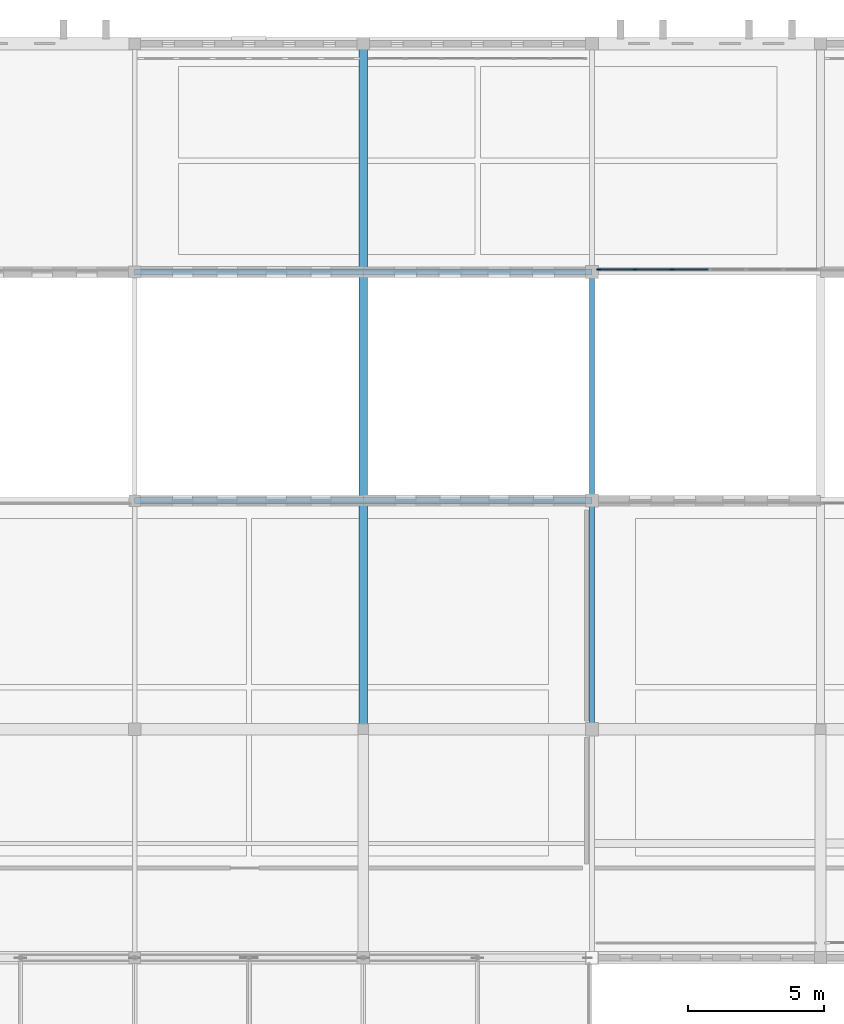
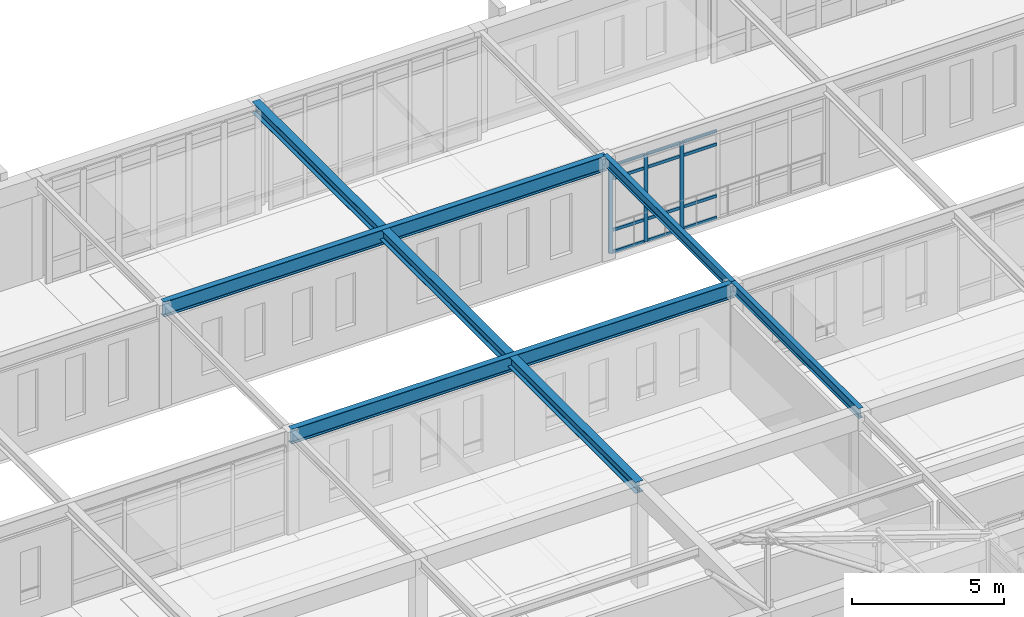
# One storey, part 94 of 192: 15 members, 5 beams, 1 element without a shape of its own.
"""IFC4 building model written with IfcOpenShell, lengths in metres."""

from ifc_helpers import new_model, si_unit, direction, frame, origin, origin_2d, place, context, subcontext, project, spatial, rectangle, i_section, extrude, material, layer, layer_set, material_profile, profile_set, type_object, element, aggregate, save


model = new_model("IFC4")

# Units and contexts
model_context = context("Model", 3, precision=1e-05, world=origin(), true_north=direction((0.0, 1.0)))
body_context = subcontext(model_context, "Body", "Model", "MODEL_VIEW")
ifc_project = project(units=[si_unit("LENGTHUNIT", "METRE"), si_unit("AREAUNIT", "SQUARE_METRE"), si_unit("VOLUMEUNIT", "CUBIC_METRE"), si_unit("PLANEANGLEUNIT", "RADIAN"), si_unit("MASSUNIT", "GRAM", prefix="KILO")], contexts=[model_context])

# Site, building, storey
site_placement = place(None, origin())
site = spatial("IfcSite", under=ifc_project, at=site_placement, CompositionType="ELEMENT")
building_placement = place(site_placement, origin())
building = spatial("IfcBuilding", under=site, at=building_placement, Name="Kveldsbrygga Polytechnic", CompositionType="ELEMENT")
storey_placement = place(building_placement, frame((0.0, 0.0, 5.43994140625)))
storey = spatial("IfcBuildingStorey", under=building, at=storey_placement, Name="L01", CompositionType="ELEMENT", Elevation=5.43994140625)

# Beams
ifc_material_1 = material(Name="Steel S355", Category="steel")
ifc_material_profile_1 = material_profile(ifc_material_1, i_section(OverallWidth=0.300048828125, OverallDepth=0.43994140625, WebThickness=0.011474609375, FlangeThickness=0.02099609375, FilletRadius=0.027099609375, at=origin_2d()), Name="HEA 450")
ifc_profile_set_1 = profile_set([ifc_material_profile_1], Name="Steel S355")
beam_type_1 = type_object("IfcBeamType", Name="BM-STL-HEA450", PredefinedType="BEAM", material=ifc_profile_set_1)
beam_1_placement = place(storey_placement, frame((67.199951171875, 92.39990234375, 3.900146484375), z_axis=(0.0, 1.0, 0.0), x_axis=(-1.0, 0.0, 0.0)))
element("IfcBeam", 1, at=beam_1_placement, inside=storey, type_object=beam_type_1, Name="Primary Beam BMY-L01-08-11to14", PredefinedType="BEAM", context=body_context, shape_type="SweptSolid", body=[
    extrude(i_section(OverallWidth=0.300048828125, OverallDepth=0.43994140625, WebThickness=0.011474609375, FlangeThickness=0.02099609375, FilletRadius=0.027099609375, at=origin_2d()), origin(), (0.0, 0.0, 1.0), 25.2001953125),
])
ifc_material_profile_2 = material_profile(ifc_material_1, i_section(OverallWidth=0.179931640625, OverallDepth=0.39990234375, WebThickness=0.008544921875, FlangeThickness=0.013427734375, FilletRadius=0.02099609375, at=origin_2d()), Name="IPE 400")
ifc_profile_set_2 = profile_set([ifc_material_profile_2], Name="Steel S355")
beam_type_2 = type_object("IfcBeamType", Name="BM-STL-IPE400", PredefinedType="BEAM", material=ifc_profile_set_2)
beam_2_placement = place(storey_placement, frame((75.60009765625, 92.39990234375, 3.920166015625), z_axis=(0.0, 1.0, 0.0), x_axis=(-1.0, 0.0, 0.0)))
element("IfcBeam", 2, at=beam_2_placement, inside=storey, type_object=beam_type_2, Name="Primary Beam BMY-L01-09-11to12", PredefinedType="BEAM", context=body_context, shape_type="SweptSolid", body=[
    extrude(i_section(OverallWidth=0.179931640625, OverallDepth=0.39990234375, WebThickness=0.008544921875, FlangeThickness=0.013427734375, FilletRadius=0.02099609375, at=origin_2d()), origin(), (0.0, 0.0, 1.0), 8.400146484375),
])
beam_3_placement = place(storey_placement, frame((75.60009765625, 100.800048828125, 3.920166015625), z_axis=(0.0, 1.0, 0.0), x_axis=(-1.0, 0.0, 0.0)))
element("IfcBeam", 3, at=beam_3_placement, inside=storey, type_object=beam_type_2, Name="Primary Beam BMY-L01-09-12to13", PredefinedType="BEAM", context=body_context, shape_type="SweptSolid", body=[
    extrude(i_section(OverallWidth=0.179931640625, OverallDepth=0.39990234375, WebThickness=0.008544921875, FlangeThickness=0.013427734375, FilletRadius=0.02099609375, at=origin_2d()), origin(), (0.0, 0.0, 1.0), 8.39990234375),
])
ifc_material_profile_3 = material_profile(ifc_material_1, i_section(OverallWidth=0.219970703125, OverallDepth=0.60009765625, WebThickness=0.011962890625, FlangeThickness=0.01904296875, FilletRadius=0.02392578125, at=origin_2d()), Name="IPE 600")
ifc_profile_set_3 = profile_set([ifc_material_profile_3], Name="Steel S355")
beam_type_3 = type_object("IfcBeamType", Name="BM-STL-IPE600", PredefinedType="BEAM", material=ifc_profile_set_3)
for number, where, z_axis, x_axis, name in (
    (4, (58.800048828125, 100.800048828125, 3.820068359375), (1.0, 0.0, 0.0), (0.0, 1.0, 0.0), "Primary Beam BMX-L01-07to09-12"),
    (5, (58.800048828125, 109.199951171875, 3.820068359375), (1.0, 0.0, 0.0), (0.0, 1.0, 0.0), "Primary Beam BMX-L01-07to09-13"),
):
    element("IfcBeam", number, at=place(storey_placement, frame(where, z_axis=z_axis, x_axis=x_axis)), inside=storey, type_object=beam_type_3, Name=name, PredefinedType="BEAM", context=body_context, shape_type="SweptSolid", body=[
        extrude(i_section(OverallWidth=0.219970703125, OverallDepth=0.60009765625, WebThickness=0.011962890625, FlangeThickness=0.01904296875, FilletRadius=0.02392578125, at=origin_2d()), origin(), (0.0, 0.0, 1.0), 16.800048828125),
    ])

# Curtain wall, members
ifc_material_2 = material(Name="Anodised aluminium AW-6060", Category="aluminium")
ifc_layer = layer(ifc_material_2, 0.179931640625)
ifc_layer_set = layer_set([ifc_layer], Name="Anodised aluminium AW-6060")
curtain_wall_type = type_object("IfcCurtainWallType", Name="CW-CONC-A", PredefinedType="USERDEFINED", material=ifc_layer_set)
curtain_wall_placement = place(storey_placement, origin())
curtain_wall = element("IfcCurtainWall", 6, at=curtain_wall_placement, inside=storey, type_object=curtain_wall_type, Name="Curtain Wall CW-L01-X-09-13", ObjectType="UNITISED CURTAIN WALL", PredefinedType="USERDEFINED")
ifc_material_profile_4 = material_profile(ifc_material_2, rectangle(XDim=0.06005859375, YDim=0.139892578125, at=origin_2d()), Name="ALU 60x140")
ifc_profile_set_4 = profile_set([ifc_material_profile_4], Name="Anodised aluminium AW-6060")
member_type_1 = type_object("IfcMemberType", Name="CW-MUL-140", PredefinedType="MULLION", material=ifc_profile_set_4)
member_1_placement = place(storey_placement, frame((75.85498046875, 109.300048828125, 0.0), z_axis=(0.0, 0.0, 1.0), x_axis=(0.0, 1.0, 0.0)))
member_1 = element("IfcMember", 7, at=member_1_placement, type_object=member_type_1, Name="CW-01 mullion 1", PredefinedType="MULLION", context=body_context, shape_type="SweptSolid", body=[
    extrude(rectangle(XDim=0.06005859375, YDim=0.139892578125, at=origin_2d()), origin(), (0.0, 0.0, 1.0), 3.52001953125),
])
member_2_placement = place(storey_placement, frame((77.1875, 109.300048828125, 0.0), z_axis=(0.0, 0.0, 1.0), x_axis=(0.0, 1.0, 0.0)))
member_2 = element("IfcMember", 8, at=member_2_placement, type_object=member_type_1, Name="CW-01 mullion 2", PredefinedType="MULLION", context=body_context, shape_type="SweptSolid", body=[
    extrude(rectangle(XDim=0.06005859375, YDim=0.139892578125, at=origin_2d()), origin(), (0.0, 0.0, 1.0), 3.52001953125),
])
member_3_placement = place(storey_placement, frame((78.550048828125, 109.300048828125, 0.0), z_axis=(0.0, 0.0, 1.0), x_axis=(0.0, 1.0, 0.0)))
member_3 = element("IfcMember", 9, at=member_3_placement, type_object=member_type_1, Name="CW-01 mullion 3", PredefinedType="MULLION", context=body_context, shape_type="SweptSolid", body=[
    extrude(rectangle(XDim=0.06005859375, YDim=0.139892578125, at=origin_2d()), origin(), (0.0, 0.0, 1.0), 3.52001953125),
])
ifc_material_profile_5 = material_profile(ifc_material_2, rectangle(XDim=0.06005859375, YDim=0.1201171875, at=origin_2d()), Name="ALU 60x120")
ifc_profile_set_5 = profile_set([ifc_material_profile_5], Name="Anodised aluminium AW-6060")
member_type_2 = type_object("IfcMemberType", Name="CW-TRN-120", PredefinedType="USERDEFINED", material=ifc_profile_set_5)
member_4_placement = place(storey_placement, frame((75.885009765625, 109.300048828125, 0.030029296875), z_axis=(1.0, 0.0, 0.0), x_axis=(0.0, 1.0, 0.0)))
member_4 = element("IfcMember", 10, at=member_4_placement, type_object=member_type_2, Name="CW-01 transom 1.1", ObjectType="TRANSOM", PredefinedType="USERDEFINED", context=body_context, shape_type="SweptSolid", body=[
    extrude(rectangle(XDim=0.06005859375, YDim=0.1201171875, at=origin_2d()), origin(), (0.0, 0.0, 1.0), 1.2724609375),
])
member_5_placement = place(storey_placement, frame((75.885009765625, 109.300048828125, 0.900146484375), z_axis=(1.0, 0.0, 0.0), x_axis=(0.0, 1.0, 0.0)))
member_5 = element("IfcMember", 11, at=member_5_placement, type_object=member_type_2, Name="CW-01 transom 1.2", ObjectType="TRANSOM", PredefinedType="USERDEFINED", context=body_context, shape_type="SweptSolid", body=[
    extrude(rectangle(XDim=0.06005859375, YDim=0.1201171875, at=origin_2d()), origin(), (0.0, 0.0, 1.0), 1.2724609375),
])
member_6_placement = place(storey_placement, frame((75.885009765625, 109.300048828125, 2.969970703125), z_axis=(1.0, 0.0, 0.0), x_axis=(0.0, 1.0, 0.0)))
member_6 = element("IfcMember", 12, at=member_6_placement, type_object=member_type_2, Name="CW-01 transom 1.3", ObjectType="TRANSOM", PredefinedType="USERDEFINED", context=body_context, shape_type="SweptSolid", body=[
    extrude(rectangle(XDim=0.06005859375, YDim=0.1201171875, at=origin_2d()), origin(), (0.0, 0.0, 1.0), 1.2724609375),
])
member_7_placement = place(storey_placement, frame((75.885009765625, 109.300048828125, 3.489990234375), z_axis=(1.0, 0.0, 0.0), x_axis=(0.0, 1.0, 0.0)))
member_7 = element("IfcMember", 13, at=member_7_placement, type_object=member_type_2, Name="CW-01 transom 1.4", ObjectType="TRANSOM", PredefinedType="USERDEFINED", context=body_context, shape_type="SweptSolid", body=[
    extrude(rectangle(XDim=0.06005859375, YDim=0.1201171875, at=origin_2d()), origin(), (0.0, 0.0, 1.0), 1.2724609375),
])
member_8_placement = place(storey_placement, frame((77.217529296875, 109.300048828125, 0.030029296875), z_axis=(1.0, 0.0, 0.0), x_axis=(0.0, 1.0, 0.0)))
member_8 = element("IfcMember", 14, at=member_8_placement, type_object=member_type_2, Name="CW-01 transom 2.1", ObjectType="TRANSOM", PredefinedType="USERDEFINED", context=body_context, shape_type="SweptSolid", body=[
    extrude(rectangle(XDim=0.06005859375, YDim=0.1201171875, at=origin_2d()), origin(), (0.0, 0.0, 1.0), 1.302490234375),
])
member_9_placement = place(storey_placement, frame((77.217529296875, 109.300048828125, 0.900146484375), z_axis=(1.0, 0.0, 0.0), x_axis=(0.0, 1.0, 0.0)))
member_9 = element("IfcMember", 15, at=member_9_placement, type_object=member_type_2, Name="CW-01 transom 2.2", ObjectType="TRANSOM", PredefinedType="USERDEFINED", context=body_context, shape_type="SweptSolid", body=[
    extrude(rectangle(XDim=0.06005859375, YDim=0.1201171875, at=origin_2d()), origin(), (0.0, 0.0, 1.0), 1.302490234375),
])
member_10_placement = place(storey_placement, frame((77.217529296875, 109.300048828125, 2.969970703125), z_axis=(1.0, 0.0, 0.0), x_axis=(0.0, 1.0, 0.0)))
member_10 = element("IfcMember", 16, at=member_10_placement, type_object=member_type_2, Name="CW-01 transom 2.3", ObjectType="TRANSOM", PredefinedType="USERDEFINED", context=body_context, shape_type="SweptSolid", body=[
    extrude(rectangle(XDim=0.06005859375, YDim=0.1201171875, at=origin_2d()), origin(), (0.0, 0.0, 1.0), 1.302490234375),
])
member_11_placement = place(storey_placement, frame((77.217529296875, 109.300048828125, 3.489990234375), z_axis=(1.0, 0.0, 0.0), x_axis=(0.0, 1.0, 0.0)))
member_11 = element("IfcMember", 17, at=member_11_placement, type_object=member_type_2, Name="CW-01 transom 2.4", ObjectType="TRANSOM", PredefinedType="USERDEFINED", context=body_context, shape_type="SweptSolid", body=[
    extrude(rectangle(XDim=0.06005859375, YDim=0.1201171875, at=origin_2d()), origin(), (0.0, 0.0, 1.0), 1.302490234375),
])
member_12_placement = place(storey_placement, frame((78.580078125, 109.300048828125, 0.030029296875), z_axis=(1.0, 0.0, 0.0), x_axis=(0.0, 1.0, 0.0)))
member_12 = element("IfcMember", 18, at=member_12_placement, type_object=member_type_2, Name="CW-01 transom 3.1", ObjectType="TRANSOM", PredefinedType="USERDEFINED", context=body_context, shape_type="SweptSolid", body=[
    extrude(rectangle(XDim=0.06005859375, YDim=0.1201171875, at=origin_2d()), origin(), (0.0, 0.0, 1.0), 1.302490234375),
])
member_13_placement = place(storey_placement, frame((78.580078125, 109.300048828125, 0.900146484375), z_axis=(1.0, 0.0, 0.0), x_axis=(0.0, 1.0, 0.0)))
member_13 = element("IfcMember", 19, at=member_13_placement, type_object=member_type_2, Name="CW-01 transom 3.2", ObjectType="TRANSOM", PredefinedType="USERDEFINED", context=body_context, shape_type="SweptSolid", body=[
    extrude(rectangle(XDim=0.06005859375, YDim=0.1201171875, at=origin_2d()), origin(), (0.0, 0.0, 1.0), 1.302490234375),
])
member_14_placement = place(storey_placement, frame((78.580078125, 109.300048828125, 2.969970703125), z_axis=(1.0, 0.0, 0.0), x_axis=(0.0, 1.0, 0.0)))
member_14 = element("IfcMember", 20, at=member_14_placement, type_object=member_type_2, Name="CW-01 transom 3.3", ObjectType="TRANSOM", PredefinedType="USERDEFINED", context=body_context, shape_type="SweptSolid", body=[
    extrude(rectangle(XDim=0.06005859375, YDim=0.1201171875, at=origin_2d()), origin(), (0.0, 0.0, 1.0), 1.302490234375),
])
member_15_placement = place(storey_placement, frame((78.580078125, 109.300048828125, 3.489990234375), z_axis=(1.0, 0.0, 0.0), x_axis=(0.0, 1.0, 0.0)))
member_15 = element("IfcMember", 21, at=member_15_placement, type_object=member_type_2, Name="CW-01 transom 3.4", ObjectType="TRANSOM", PredefinedType="USERDEFINED", context=body_context, shape_type="SweptSolid", body=[
    extrude(rectangle(XDim=0.06005859375, YDim=0.1201171875, at=origin_2d()), origin(), (0.0, 0.0, 1.0), 1.302490234375),
])
aggregate(curtain_wall, [member_1, member_2, member_3, member_4, member_5, member_6, member_7, member_8, member_9, member_10, member_11, member_12, member_13, member_14, member_15])

save(model, "model.ifc")
